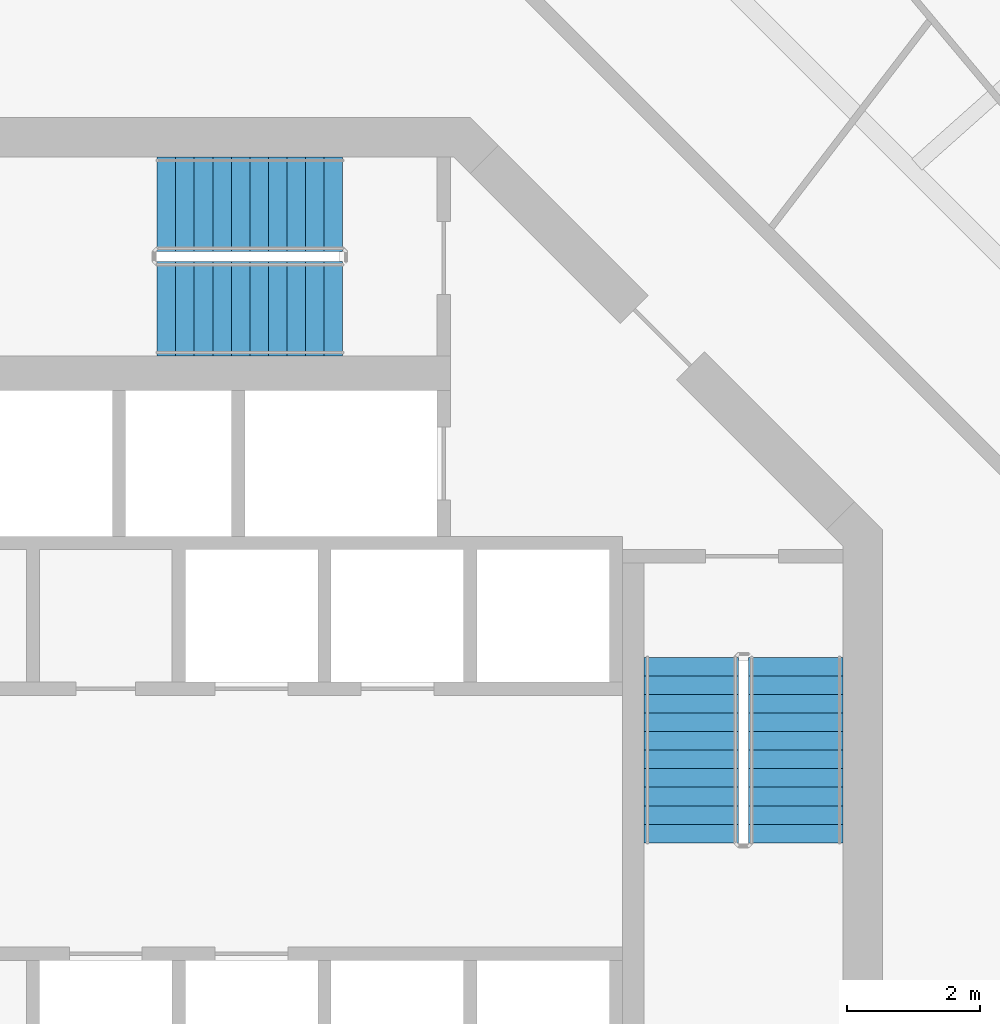
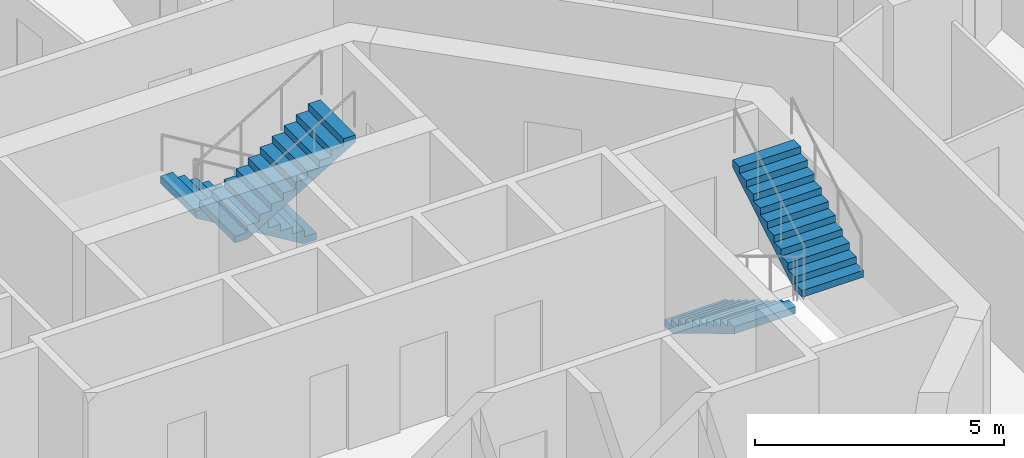
# One storey, part 15 of 18: 4 stair flights, 2 elements without a shape of their own.
"""IFC4 building model written with IfcOpenShell, lengths in metres."""

from ifc_helpers import new_model, si_unit, direction, frame, origin, place, context, subcontext, project, spatial, polyline, outline, extrude, material, type_object, element, aggregate, save


model = new_model("IFC4")

# Units and contexts
model_context = context("Model", 3, precision=1e-05, world=origin(), true_north=direction((0.0, 1.0)))
body_context = subcontext(model_context, "Body", "Model", "MODEL_VIEW")
ifc_project = project(units=[si_unit("LENGTHUNIT", "METRE"), si_unit("AREAUNIT", "SQUARE_METRE"), si_unit("VOLUMEUNIT", "CUBIC_METRE"), si_unit("PLANEANGLEUNIT", "RADIAN"), si_unit("MASSUNIT", "GRAM", prefix="KILO")], contexts=[model_context])

# Site, building, storey
site_placement = place(None, origin())
site = spatial("IfcSite", under=ifc_project, at=site_placement, CompositionType="ELEMENT")
building_placement = place(site_placement, origin())
building = spatial("IfcBuilding", under=site, at=building_placement, Name="Nagisa Residences", CompositionType="ELEMENT")
storey_placement = place(building_placement, frame((0.0, 0.0, 227.0)))
storey = spatial("IfcBuildingStorey", under=building, at=storey_placement, Name="L57", CompositionType="ELEMENT", Elevation=227.0)

# Stair, stair flights
ifc_material_1 = material(Name="Concrete C60", Category="concrete")
stair_type = type_object("IfcStairType", Name="Exit stair", PredefinedType="HALF_TURN_STAIR", material=ifc_material_1)
stair_1_placement = place(storey_placement, origin())
stair_1 = element("IfcStair", 1, at=stair_1_placement, inside=storey, type_object=stair_type, Name="L57 Exit stair E", PredefinedType="HALF_TURN_STAIR")
ifc_material_2 = material(Name="Concrete C60", Category="concrete")
stair_flight_type = type_object("IfcStairFlightType", Name="Exit stair flight", PredefinedType="STRAIGHT", material=ifc_material_2)
stair_flight_1_placement = place(storey_placement, frame((7.737060546875, 2.47509765625, 0.0), z_axis=(0.0, 0.0, 1.0), x_axis=(0.0, -1.0, 0.0)))
stair_flight_1 = element("IfcStairFlight", 2, at=stair_flight_1_placement, type_object=stair_flight_type, Name="ST-E flight 1", NumberOfRisers=11, NumberOfTreads=10, PredefinedType="STRAIGHT", RiserHeight=0.168181818, TreadLength=0.28, context=body_context, shape_type="SweptSolid", body=[
    extrude(outline(polyline([(0.0, 0.0), (0.0, 0.168212890625), (0.280029296875, 0.168212890625), (0.280029296875, 0.33642578125), (0.56005859375, 0.33642578125), (0.56005859375, 0.504638671875), (0.840087890625, 0.504638671875), (0.840087890625, 0.672607421875), (1.1201171875, 0.672607421875), (1.1201171875, 0.8408203125), (1.39990234375, 0.8408203125), (1.39990234375, 1.009033203125), (1.679931640625, 1.009033203125), (1.679931640625, 1.17724609375), (1.9599609375, 1.17724609375), (1.9599609375, 1.345458984375), (2.239990234375, 1.345458984375), (2.239990234375, 1.513671875), (2.52001953125, 1.513671875), (2.52001953125, 1.681884765625), (2.800048828125, 1.681884765625), (2.800048828125, 1.85009765625), (2.800048828125, 1.5068359375), (0.291015625, 0.0), (0.0, 0.0)])), frame((0.0, 0.71240234375, 0.0), z_axis=(0.0, -1.0, 0.0), x_axis=(1.0, 0.0, 0.0)), (0.0, 0.0, 1.0), 1.425048828125),
])
stair_flight_2_placement = place(storey_placement, frame((9.31201171875, -0.324951171875, 1.85009765625), z_axis=(0.0, 0.0, 1.0), x_axis=(0.0, 1.0, 0.0)))
stair_flight_2 = element("IfcStairFlight", 3, at=stair_flight_2_placement, type_object=stair_flight_type, Name="ST-E flight 2", NumberOfRisers=11, NumberOfTreads=10, PredefinedType="STRAIGHT", RiserHeight=0.168181818, TreadLength=0.28, context=body_context, shape_type="SweptSolid", body=[
    extrude(outline(polyline([(0.0, 0.0), (0.0, 0.168212890625), (0.280029296875, 0.168212890625), (0.280029296875, 0.33642578125), (0.56005859375, 0.33642578125), (0.56005859375, 0.504638671875), (0.840087890625, 0.504638671875), (0.840087890625, 0.672607421875), (1.1201171875, 0.672607421875), (1.1201171875, 0.8408203125), (1.39990234375, 0.8408203125), (1.39990234375, 1.009033203125), (1.679931640625, 1.009033203125), (1.679931640625, 1.17724609375), (1.9599609375, 1.17724609375), (1.9599609375, 1.345458984375), (2.239990234375, 1.345458984375), (2.239990234375, 1.513671875), (2.52001953125, 1.513671875), (2.52001953125, 1.681884765625), (2.800048828125, 1.681884765625), (2.800048828125, 1.85009765625), (2.800048828125, 1.5068359375), (0.291015625, 0.0), (0.0, 0.0)])), frame((0.0, 0.71240234375, 0.0), z_axis=(0.0, -1.0, 0.0), x_axis=(1.0, 0.0, 0.0)), (0.0, 0.0, 1.0), 1.425048828125),
])
aggregate(stair_1, [stair_flight_1, stair_flight_2])

stair_2_placement = place(storey_placement, origin())
stair_2 = element("IfcStair", 4, at=stair_2_placement, inside=storey, type_object=stair_type, Name="L57 Exit stair N", PredefinedType="HALF_TURN_STAIR")
stair_flight_3_placement = place(storey_placement, frame((2.47509765625, 9.31201171875, 0.0), z_axis=(0.0, 0.0, 1.0), x_axis=(-1.0, 0.0, 0.0)))
stair_flight_3 = element("IfcStairFlight", 5, at=stair_flight_3_placement, type_object=stair_flight_type, Name="ST-N flight 1", NumberOfRisers=11, NumberOfTreads=10, PredefinedType="STRAIGHT", RiserHeight=0.168181818, TreadLength=0.28, context=body_context, shape_type="SweptSolid", body=[
    extrude(outline(polyline([(0.0, 0.0), (0.0, 0.168212890625), (0.280029296875, 0.168212890625), (0.280029296875, 0.33642578125), (0.56005859375, 0.33642578125), (0.56005859375, 0.504638671875), (0.840087890625, 0.504638671875), (0.840087890625, 0.672607421875), (1.1201171875, 0.672607421875), (1.1201171875, 0.8408203125), (1.39990234375, 0.8408203125), (1.39990234375, 1.009033203125), (1.679931640625, 1.009033203125), (1.679931640625, 1.17724609375), (1.9599609375, 1.17724609375), (1.9599609375, 1.345458984375), (2.239990234375, 1.345458984375), (2.239990234375, 1.513671875), (2.52001953125, 1.513671875), (2.52001953125, 1.681884765625), (2.800048828125, 1.681884765625), (2.800048828125, 1.85009765625), (2.800048828125, 1.5068359375), (0.291015625, 0.0), (0.0, 0.0)])), frame((0.0, 0.71240234375, 0.0), z_axis=(0.0, -1.0, 0.0), x_axis=(1.0, 0.0, 0.0)), (0.0, 0.0, 1.0), 1.425048828125),
])
stair_flight_4_placement = place(storey_placement, frame((-0.324951171875, 7.737060546875, 1.85009765625), z_axis=(0.0, 0.0, 1.0), x_axis=(1.0, 0.0, 0.0)))
stair_flight_4 = element("IfcStairFlight", 6, at=stair_flight_4_placement, type_object=stair_flight_type, Name="ST-N flight 2", NumberOfRisers=11, NumberOfTreads=10, PredefinedType="STRAIGHT", RiserHeight=0.168181818, TreadLength=0.28, context=body_context, shape_type="SweptSolid", body=[
    extrude(outline(polyline([(0.0, 0.0), (0.0, 0.168212890625), (0.280029296875, 0.168212890625), (0.280029296875, 0.33642578125), (0.56005859375, 0.33642578125), (0.56005859375, 0.504638671875), (0.840087890625, 0.504638671875), (0.840087890625, 0.672607421875), (1.1201171875, 0.672607421875), (1.1201171875, 0.8408203125), (1.39990234375, 0.8408203125), (1.39990234375, 1.009033203125), (1.679931640625, 1.009033203125), (1.679931640625, 1.17724609375), (1.9599609375, 1.17724609375), (1.9599609375, 1.345458984375), (2.239990234375, 1.345458984375), (2.239990234375, 1.513671875), (2.52001953125, 1.513671875), (2.52001953125, 1.681884765625), (2.800048828125, 1.681884765625), (2.800048828125, 1.85009765625), (2.800048828125, 1.5068359375), (0.291015625, 0.0), (0.0, 0.0)])), frame((0.0, 0.71240234375, 0.0), z_axis=(0.0, -1.0, 0.0), x_axis=(1.0, 0.0, 0.0)), (0.0, 0.0, 1.0), 1.425048828125),
])
aggregate(stair_2, [stair_flight_3, stair_flight_4])

save(model, "model.ifc")
